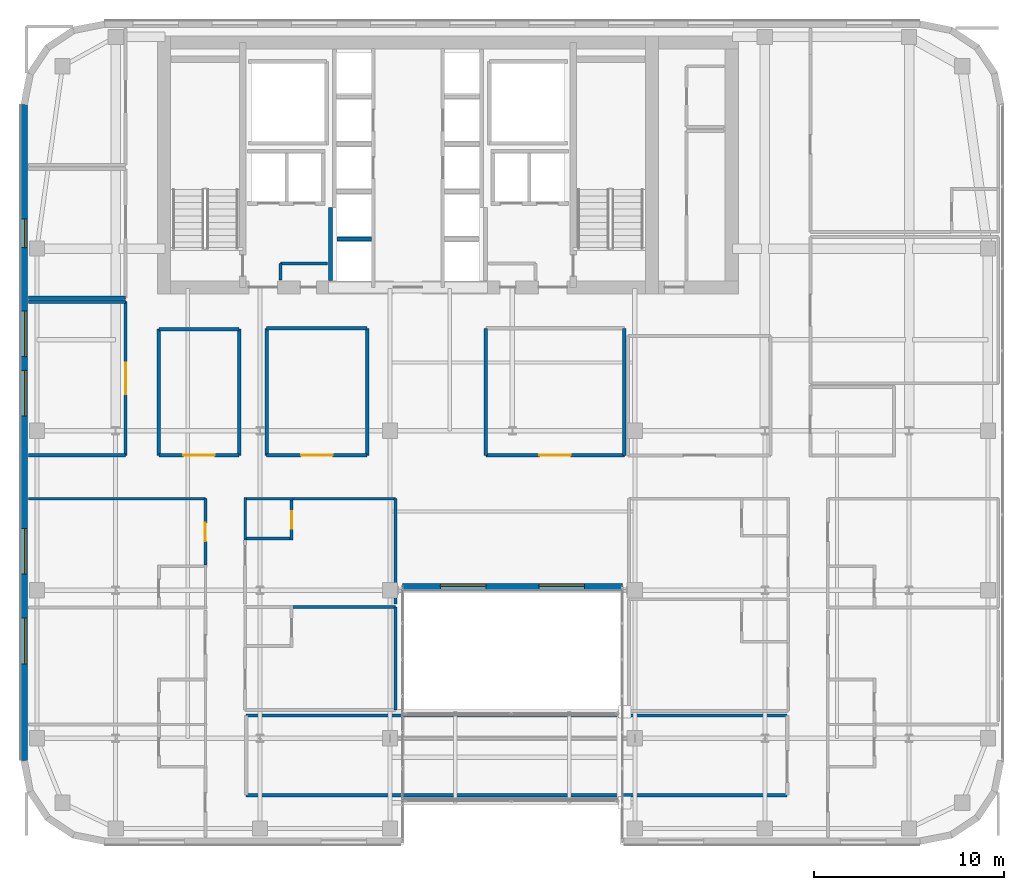
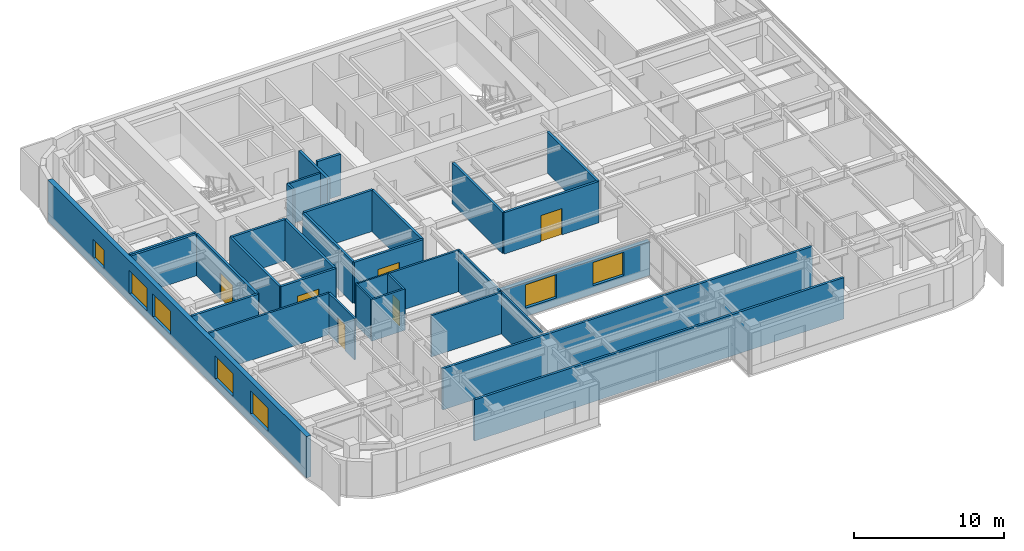
# One storey, part 16 of 26: 33 walls, 7 windows, 6 doors, 13 openings.
"""IFC4 building model written with IfcOpenShell, lengths in metres."""

import ifcopenshell
import ifcopenshell.guid

model = None  # the IFC model being written
_history = None  # IfcOwnerHistory: only IFC2X3 demands one
_inside = {}  # id of a spatial element -> (the spatial element, [elements in it])
_under = {}  # id of a project, library or spatial element -> (it, [spatial elements below it])
_declared = {}  # id of a project -> (the project, [libraries it declares])
_typed = {}  # id of a type object -> (the type object, [elements of that type])
_made_of = {}  # id of a material, layer set ... -> (it, [elements and type objects made of it])


def new_model(schema):
    """Start an empty IFC model of exactly this schema.

    Asked for "IFC4X3", IfcOpenShell would pick the latest addendum, in which some entities
    have other attributes; the version numbers below select the first issue.
    IFC2X3 requires an IfcOwnerHistory on every rooted entity: one is made here for all.
    """
    global model, _history
    if schema == "IFC4X3":
        model = ifcopenshell.file(schema_version=(4, 3, 0, 0))
    else:
        model = ifcopenshell.file(schema=schema)
    _inside.clear()
    _under.clear()
    _declared.clear()
    _typed.clear()
    _made_of.clear()
    _history = None
    if model.schema == "IFC2X3":
        org = make("IfcOrganization", Name="unknown")
        user = make(
            "IfcPersonAndOrganization",
            ThePerson=make("IfcPerson", FamilyName="unknown"),
            TheOrganization=org,
        )
        app = make(
            "IfcApplication",
            ApplicationDeveloper=org,
            Version="unknown",
            ApplicationFullName="unknown",
            ApplicationIdentifier="unknown",
        )
        _history = make(
            "IfcOwnerHistory",
            OwningUser=user,
            OwningApplication=app,
            ChangeAction="ADDED",
            CreationDate=0,
        )
    return model


def make(cls, **values):
    """One entity of the class cls with the attributes given. An attribute that is None is left unset."""
    return model.create_entity(
        cls, **{name: value for name, value in values.items() if value is not None}
    )


def rooted(cls, **values):
    """An entity with a GlobalId (a new one), such as an element, a storey or a relation."""
    return make(cls, GlobalId=ifcopenshell.guid.new(), OwnerHistory=_history, **values)


def si_unit(unit_type, name, prefix=None):
    """IfcSIUnit, for example si_unit("LENGTHUNIT", "METRE", prefix="MILLI")."""
    return make("IfcSIUnit", UnitType=unit_type, Prefix=prefix, Name=name)


def assignment(units):
    """IfcUnitAssignment: the units of a project."""
    return None if units is None else make("IfcUnitAssignment", Units=units)


def point(xyz):
    """IfcCartesianPoint."""
    return None if xyz is None else make("IfcCartesianPoint", Coordinates=xyz)


def direction(xyz):
    """IfcDirection."""
    return None if xyz is None else make("IfcDirection", DirectionRatios=xyz)


def frame(location, z_axis=None, x_axis=None):
    """IfcAxis2Placement3D, a coordinate frame: its origin and axes. An axis left out is left unset."""
    return make(
        "IfcAxis2Placement3D",
        Location=point(location),
        Axis=direction(z_axis),
        RefDirection=direction(x_axis),
    )


def frame_2d(location, x_axis=None):
    """IfcAxis2Placement2D, a coordinate frame in the plane: its origin and x axis."""
    return make(
        "IfcAxis2Placement2D", Location=point(location), RefDirection=direction(x_axis)
    )


def origin():
    """The frame at (0, 0, 0) with its axes left unset."""
    return frame((0.0, 0.0, 0.0))


def place(relative_to, where):
    """IfcLocalPlacement: puts the frame where relative to a parent placement (None: the world)."""
    return make(
        "IfcLocalPlacement", PlacementRelTo=relative_to, RelativePlacement=where
    )


def context(
    kind, dimensions, precision=None, world=None, true_north=None, identifier=None
):
    """IfcGeometricRepresentationContext, for example the 3D "Model" context."""
    return make(
        "IfcGeometricRepresentationContext",
        ContextIdentifier=identifier,
        ContextType=kind,
        CoordinateSpaceDimension=dimensions,
        Precision=precision,
        WorldCoordinateSystem=world,
        TrueNorth=true_north,
    )


def subcontext(parent, identifier, kind, view, scale=None):
    """IfcGeometricRepresentationSubContext, for example "Body" below "Model"."""
    return make(
        "IfcGeometricRepresentationSubContext",
        ContextIdentifier=identifier,
        ContextType=kind,
        ParentContext=parent,
        TargetScale=scale,
        TargetView=view,
    )


def project(units=None, contexts=None):
    """IfcProject with its units and contexts."""
    return rooted(
        "IfcProject",
        Name="project",
        RepresentationContexts=contexts,
        UnitsInContext=assignment(units),
    )


def spatial(cls, under=None, at=None, **own):
    """A site, building, storey or space (cls), placed at a placement, below another one or the project."""
    s = rooted(cls, ObjectPlacement=at, **own)
    if under is not None:
        _under.setdefault(under.id(), (under, []))[1].append(s)
    return s


def profile(cls, at=None, kind="AREA", **sizes):
    """A parametric profile (cls). Its sizes go by their IFC names, for example OverallWidth=200.0."""
    return make(cls, ProfileType=kind, Position=at, **sizes)


def rectangle(**sizes):
    """IfcRectangleProfileDef."""
    return profile("IfcRectangleProfileDef", **sizes)


def extrude(swept, where, along, depth):
    """IfcExtrudedAreaSolid: the profile swept, set in the frame where, extruded along a direction by depth."""
    return make(
        "IfcExtrudedAreaSolid",
        SweptArea=swept,
        Position=where,
        ExtrudedDirection=direction(along),
        Depth=depth,
    )


def shape(context_of_items, identifier, shape_type, items):
    """IfcShapeRepresentation: the items that make up one representation, for example the "Body"."""
    return make(
        "IfcShapeRepresentation",
        ContextOfItems=context_of_items,
        RepresentationIdentifier=identifier,
        RepresentationType=shape_type,
        Items=items,
    )


def source(mapping_origin, context_of_items, identifier, shape_type, items):
    """IfcRepresentationMap: a shape defined once, which mapped items show again and again."""
    return make(
        "IfcRepresentationMap",
        MappingOrigin=mapping_origin,
        MappedRepresentation=shape(context_of_items, identifier, shape_type, items),
    )


def transform(
    local_origin,
    x_axis=None,
    y_axis=None,
    z_axis=None,
    scale=None,
    scale2=None,
    scale3=None,
    uniform=True,
):
    """IfcCartesianTransformationOperator3D, or its non-uniform kind. x_axis, y_axis, z_axis: its Axis1, 2, 3."""
    if uniform:
        return make(
            "IfcCartesianTransformationOperator3D",
            Axis1=direction(x_axis),
            Axis2=direction(y_axis),
            LocalOrigin=point(local_origin),
            Scale=scale,
            Axis3=direction(z_axis),
        )
    return make(
        "IfcCartesianTransformationOperator3DnonUniform",
        Axis1=direction(x_axis),
        Axis2=direction(y_axis),
        LocalOrigin=point(local_origin),
        Scale=scale,
        Axis3=direction(z_axis),
        Scale2=scale2,
        Scale3=scale3,
    )


def mapped(mapping_source, mapping_target):
    """IfcMappedItem: shows the shape of a source again, moved by a transform."""
    return make(
        "IfcMappedItem", MappingSource=mapping_source, MappingTarget=mapping_target
    )


def material(Name=None, Category=None):
    """IfcMaterial."""
    return make("IfcMaterial", Name=Name, Category=Category)


def layer(
    of_material, thickness, ventilated=None, Name=None, Category=None, Priority=None
):
    """IfcMaterialLayer: one layer of a wall or slab, of a material (None: an air gap)."""
    return make(
        "IfcMaterialLayer",
        Material=of_material,
        LayerThickness=thickness,
        IsVentilated=ventilated,
        Name=Name,
        Category=Category,
        Priority=Priority,
    )


def layer_set(layers, Name=None):
    """IfcMaterialLayerSet."""
    return make("IfcMaterialLayerSet", MaterialLayers=layers, LayerSetName=Name)


def made_of(thing, what):
    """Note that an element or type object is made of a material, layer set ...; save() writes the relation."""
    if what is not None:
        _made_of.setdefault(what.id(), (what, []))[1].append(thing)
    return thing


def type_object(cls, material=None, **own):
    """A type object (cls), such as IfcWallType, which elements share."""
    return made_of(rooted(cls, **own), material)


def type_shapes(of_type, sources):
    """Give a type object the sources (RepresentationMaps) that its elements show as mapped items."""
    of_type.RepresentationMaps = sources


def element(
    cls,
    number,
    at=None,
    inside=None,
    cuts=None,
    type_object=None,
    material=None,
    context=None,
    identifier="Body",
    shape_type=None,
    held_by="IfcProductDefinitionShape",
    body=None,
    shapes=None,
    **own,
):
    """One element of the class cls, such as IfcWall. Its Tag is "e" and its number.

    at: its placement. inside: the storey or other place that contains it. cuts: it is an
    opening in that element (IfcRelVoidsElement). A single representation is given by context,
    identifier, shape_type and body (its items); several are given by shapes. held_by: the class
    of the entity that holds the representations. save() writes the other relations.
    """
    e = rooted(cls, Tag="e%d" % number, ObjectPlacement=at, **own)
    if body is not None:
        shapes = [shape(context, identifier, shape_type, body)]
    if shapes is not None:
        e.Representation = make(held_by, Representations=shapes)
    if inside is not None:
        _inside.setdefault(inside.id(), (inside, []))[1].append(e)
    if cuts is not None:
        rooted(
            "IfcRelVoidsElement", RelatingBuildingElement=cuts, RelatedOpeningElement=e
        )
    if type_object is not None:
        _typed.setdefault(type_object.id(), (type_object, []))[1].append(e)
    return made_of(e, material)


def fill(opening, filler):
    """IfcRelFillsElement: the door or window that sits in an opening."""
    return rooted(
        "IfcRelFillsElement",
        RelatingOpeningElement=opening,
        RelatedBuildingElement=filler,
    )


def aggregate(whole, parts):
    """IfcRelAggregates: a whole, such as a stair, and the parts it consists of."""
    return rooted("IfcRelAggregates", RelatingObject=whole, RelatedObjects=parts)


def save(model, path):
    """Write the relations noted so far, then the file.

    IfcRelAggregates (storeys below a building ...), IfcRelContainedInSpatialStructure (elements
    in a storey), IfcRelDefinesByType, IfcRelAssociatesMaterial and IfcRelDeclares: one each for
    every whole, place, type object, material and project.
    """
    for whole, parts in _under.values():
        aggregate(whole, parts)
    for where, things in _inside.values():
        rooted(
            "IfcRelContainedInSpatialStructure",
            RelatedElements=things,
            RelatingStructure=where,
        )
    for kind, things in _typed.values():
        rooted("IfcRelDefinesByType", RelatedObjects=things, RelatingType=kind)
    for what, things in _made_of.values():
        rooted("IfcRelAssociatesMaterial", RelatedObjects=things, RelatingMaterial=what)
    for by, libraries in _declared.values():
        rooted("IfcRelDeclares", RelatingContext=by, RelatedDefinitions=libraries)
    model.write(path)


model = new_model("IFC4")

# Units and contexts
model_context = context("Model", 3, precision=1e-05, world=origin(), true_north=direction((0.0, 1.0)))
body_context = subcontext(model_context, "Body", "Model", "MODEL_VIEW")
ifc_project = project(units=[si_unit("LENGTHUNIT", "METRE"), si_unit("AREAUNIT", "SQUARE_METRE"), si_unit("VOLUMEUNIT", "CUBIC_METRE"), si_unit("PLANEANGLEUNIT", "RADIAN"), si_unit("MASSUNIT", "GRAM", prefix="KILO")], contexts=[model_context])

# Site, building, storey
site_placement = place(None, origin())
site = spatial("IfcSite", under=ifc_project, at=site_placement, CompositionType="ELEMENT")
building_placement = place(site_placement, origin())
building = spatial("IfcBuilding", under=site, at=building_placement, Name="Tolvann Quenvar Hotel", CompositionType="ELEMENT")
storey_placement = place(building_placement, frame((0.0, 0.0, 168.35009765625)))
storey = spatial("IfcBuildingStorey", under=building, at=storey_placement, Name="L44", CompositionType="ELEMENT", Elevation=168.35009765625)

# Wall, openings, windows
ifc_material_1 = material(Name="Kiln-fired red and buff architectural clay brickwork and terracotta masonry", Category="masonry")
ifc_layer_1 = layer(ifc_material_1, 0.35009765625)
ifc_layer_set_1 = layer_set([ifc_layer_1], Name="Kiln-fired red and buff architectural clay brickwork and terracotta masonry")
wall_type_1 = type_object("IfcWallType", Name="WALL_EXT_BRICK_350", PredefinedType="SOLIDWALL", material=ifc_layer_set_1)
wall_1_placement = place(storey_placement, frame((22.7099609375, 16.175048828125, 0.0), z_axis=(0.0, 0.0, 1.0), x_axis=(1.0, 0.0, 0.0)))
wall_1 = element("IfcWall", 1, at=wall_1_placement, inside=storey, type_object=wall_type_1, Name="Exterior Chicago Brick Wall L44-E06", PredefinedType="SOLIDWALL", context=body_context, shape_type="SweptSolid", body=[
    extrude(rectangle(XDim=11.580078125, YDim=0.35009765625, at=frame_2d((5.7900390625, 0.0))), origin(), (0.0, 0.0, 1.0), 2.7578125),
])
opening_1_placement = place(wall_1_placement, frame((1.9951171875, 0.0, 0.679931640625)))
opening_1 = element("IfcOpeningElement", 2, at=opening_1_placement, cuts=wall_1, Name="Opening W-01", PredefinedType="OPENING", context=body_context, shape_type="SweptSolid", body=[
    extrude(rectangle(XDim=2.39990234375, YDim=1.89990234375, at=frame_2d((1.199951171875, 0.949951171875))), frame((0.0, 0.18505859375, 0.0), z_axis=(0.0, -1.0, 0.0), x_axis=(1.0, 0.0, 0.0)), (0.0, 0.0, 1.0), 0.3701171875),
])
opening_2_placement = place(wall_1_placement, frame((7.18505859375, 0.0, 0.679931640625)))
opening_2 = element("IfcOpeningElement", 3, at=opening_2_placement, cuts=wall_1, Name="Opening W-01", PredefinedType="OPENING", context=body_context, shape_type="SweptSolid", body=[
    extrude(rectangle(XDim=2.39990234375, YDim=1.89990234375, at=frame_2d((1.199951171875, 0.949951171875))), frame((0.0, 0.18505859375, 0.0), z_axis=(0.0, -1.0, 0.0), x_axis=(1.0, 0.0, 0.0)), (0.0, 0.0, 1.0), 0.3701171875),
])
ifc_material_2 = material(Name="Thermally broken bronze-anodised aluminium frame with double low-E glazing", Category="aluminium")
window_type_1 = type_object("IfcWindowType", Name="WIN_CHI_2400x2050", PartitioningType="TRIPLE_PANEL_HORIZONTAL", PredefinedType="WINDOW", material=ifc_material_2)
shared_shape_1 = source(origin(), body_context, "Body", "SweptSolid", [
    extrude(rectangle(XDim=2.39990234375, YDim=1.89990234375, at=frame_2d((1.199951171875, 0.949951171875))), frame((0.0, 0.090087890625, 0.0), z_axis=(0.0, -1.0, 0.0), x_axis=(1.0, 0.0, 0.0)), (0.0, 0.0, 1.0), 0.06005859375),
])
type_shapes(window_type_1, [shared_shape_1])
window_1_placement = place(opening_1_placement, origin())
window_1 = element("IfcWindow", 4, at=window_1_placement, inside=storey, type_object=window_type_1, Name="Chicago Window W-01 (EW-L44-E06-W01)", OverallHeight=1.89990234375, OverallWidth=2.39990234375, PartitioningType="TRIPLE_PANEL_HORIZONTAL", PredefinedType="WINDOW", context=body_context, shape_type="MappedRepresentation", body=[
    mapped(shared_shape_1, transform((0.0, 0.0, 0.0), x_axis=(1.0, 0.0, 0.0), y_axis=(0.0, 1.0, 0.0), z_axis=(0.0, 0.0, 1.0), scale=1.0)),
])
fill(opening_1, window_1)
window_2_placement = place(opening_2_placement, origin())
window_2 = element("IfcWindow", 5, at=window_2_placement, inside=storey, type_object=window_type_1, Name="Chicago Window W-01 (EW-L44-E06-W02)", OverallHeight=1.89990234375, OverallWidth=2.39990234375, PartitioningType="TRIPLE_PANEL_HORIZONTAL", PredefinedType="WINDOW", context=body_context, shape_type="MappedRepresentation", body=[
    mapped(shared_shape_1, transform((0.0, 0.0, 0.0), x_axis=(1.0, 0.0, 0.0), y_axis=(0.0, 1.0, 0.0), z_axis=(0.0, 0.0, 1.0), scale=1.0)),
])
fill(opening_2, window_2)

wall_2_placement = place(storey_placement, frame((2.77490234375, 41.582763671875, 0.0), z_axis=(0.0, 0.0, 1.0), x_axis=(0.0, -1.0, 0.0)))
wall_2 = element("IfcWall", 6, at=wall_2_placement, inside=storey, type_object=wall_type_1, Name="Exterior Chicago Brick Wall L44-E23", PredefinedType="SOLIDWALL", context=body_context, shape_type="SweptSolid", body=[
    extrude(rectangle(XDim=34.565673828125, YDim=0.35009765625, at=frame_2d((17.28271484375, 0.0))), origin(), (0.0, 0.0, 1.0), 3.369873046875),
])
opening_3_placement = place(wall_2_placement, frame((10.876953125, 0.0, 0.679931640625)))
opening_3 = element("IfcOpeningElement", 7, at=opening_3_placement, cuts=wall_2, Name="Opening W-01", PredefinedType="OPENING", context=body_context, shape_type="SweptSolid", body=[
    extrude(rectangle(XDim=2.39990234375, YDim=1.89990234375, at=frame_2d((1.199951171875, 0.949951171875))), frame((0.0, 0.18505859375, 0.0), z_axis=(0.0, -1.0, 0.0), x_axis=(1.0, 0.0, 0.0)), (0.0, 0.0, 1.0), 0.3701171875),
])
opening_4_placement = place(wall_2_placement, frame((13.9970703125, 0.0, 0.679931640625)))
opening_4 = element("IfcOpeningElement", 8, at=opening_4_placement, cuts=wall_2, Name="Opening W-01", PredefinedType="OPENING", context=body_context, shape_type="SweptSolid", body=[
    extrude(rectangle(XDim=2.39990234375, YDim=1.89990234375, at=frame_2d((1.199951171875, 0.949951171875))), frame((0.0, 0.18505859375, 0.0), z_axis=(0.0, -1.0, 0.0), x_axis=(1.0, 0.0, 0.0)), (0.0, 0.0, 1.0), 0.3701171875),
])
opening_5_placement = place(wall_2_placement, frame((22.339111328125, 0.0, 0.679931640625)))
opening_5 = element("IfcOpeningElement", 9, at=opening_5_placement, cuts=wall_2, Name="Opening W-01", PredefinedType="OPENING", context=body_context, shape_type="SweptSolid", body=[
    extrude(rectangle(XDim=2.39990234375, YDim=1.89990234375, at=frame_2d((1.199951171875, 0.949951171875))), frame((0.0, 0.18505859375, 0.0), z_axis=(0.0, -1.0, 0.0), x_axis=(1.0, 0.0, 0.0)), (0.0, 0.0, 1.0), 0.3701171875),
])
opening_6_placement = place(wall_2_placement, frame((27.06005859375, 0.0, 0.679931640625)))
opening_6 = element("IfcOpeningElement", 10, at=opening_6_placement, cuts=wall_2, Name="Opening W-01", PredefinedType="OPENING", context=body_context, shape_type="SweptSolid", body=[
    extrude(rectangle(XDim=2.39990234375, YDim=1.89990234375, at=frame_2d((1.199951171875, 0.949951171875))), frame((0.0, 0.18505859375, 0.0), z_axis=(0.0, -1.0, 0.0), x_axis=(1.0, 0.0, 0.0)), (0.0, 0.0, 1.0), 0.3701171875),
])
opening_7_placement = place(wall_2_placement, frame((6.032958984375, 0.0, 0.6201171875)))
opening_7 = element("IfcOpeningElement", 11, at=opening_7_placement, cuts=wall_2, Name="Opening W-08", PredefinedType="OPENING", context=body_context, shape_type="SweptSolid", body=[
    extrude(rectangle(XDim=1.5, YDim=1.550048828125, at=frame_2d((0.75, 0.77490234375))), frame((0.0, 0.18505859375, 0.0), z_axis=(0.0, -1.0, 0.0), x_axis=(1.0, 0.0, 0.0)), (0.0, 0.0, 1.0), 0.3701171875),
])
window_type_2 = type_object("IfcWindowType", Name="WIN_COR_1500x2050", PartitioningType="SINGLE_PANEL", PredefinedType="WINDOW", material=ifc_material_2)
shared_shape_2 = source(origin(), body_context, "Body", "SweptSolid", [
    extrude(rectangle(XDim=1.5, YDim=1.550048828125, at=frame_2d((0.75, 0.77490234375))), frame((0.0, 0.090087890625, 0.0), z_axis=(0.0, -1.0, 0.0), x_axis=(1.0, 0.0, 0.0)), (0.0, 0.0, 1.0), 0.06005859375),
])
type_shapes(window_type_2, [shared_shape_2])
window_3_placement = place(opening_7_placement, origin())
window_3 = element("IfcWindow", 12, at=window_3_placement, inside=storey, type_object=window_type_2, Name="Chicago Window W-08 (EW-L44-E23-WD05)", OverallHeight=1.550048828125, OverallWidth=1.5, PartitioningType="SINGLE_PANEL", PredefinedType="WINDOW", context=body_context, shape_type="MappedRepresentation", body=[
    mapped(shared_shape_2, transform((0.0, 0.0, 0.0), x_axis=(1.0, 0.0, 0.0), y_axis=(0.0, 1.0, 0.0), z_axis=(0.0, 0.0, 1.0), scale=1.0)),
])
fill(opening_7, window_3)
window_4_placement = place(opening_3_placement, origin())
window_4 = element("IfcWindow", 13, at=window_4_placement, inside=storey, type_object=window_type_1, Name="Chicago Window W-01 (EW-L44-E23-W01)", OverallHeight=1.89990234375, OverallWidth=2.39990234375, PartitioningType="TRIPLE_PANEL_HORIZONTAL", PredefinedType="WINDOW", context=body_context, shape_type="MappedRepresentation", body=[
    mapped(shared_shape_1, transform((0.0, 0.0, 0.0), x_axis=(1.0, 0.0, 0.0), y_axis=(0.0, 1.0, 0.0), z_axis=(0.0, 0.0, 1.0), scale=1.0)),
])
fill(opening_3, window_4)
window_5_placement = place(opening_4_placement, origin())
window_5 = element("IfcWindow", 14, at=window_5_placement, inside=storey, type_object=window_type_1, Name="Chicago Window W-01 (EW-L44-E23-W02)", OverallHeight=1.89990234375, OverallWidth=2.39990234375, PartitioningType="TRIPLE_PANEL_HORIZONTAL", PredefinedType="WINDOW", context=body_context, shape_type="MappedRepresentation", body=[
    mapped(shared_shape_1, transform((0.0, 0.0, 0.0), x_axis=(1.0, 0.0, 0.0), y_axis=(0.0, 1.0, 0.0), z_axis=(0.0, 0.0, 1.0), scale=1.0)),
])
fill(opening_4, window_5)
window_6_placement = place(opening_5_placement, origin())
window_6 = element("IfcWindow", 15, at=window_6_placement, inside=storey, type_object=window_type_1, Name="Chicago Window W-01 (EW-L44-E23-W03)", OverallHeight=1.89990234375, OverallWidth=2.39990234375, PartitioningType="TRIPLE_PANEL_HORIZONTAL", PredefinedType="WINDOW", context=body_context, shape_type="MappedRepresentation", body=[
    mapped(shared_shape_1, transform((0.0, 0.0, 0.0), x_axis=(1.0, 0.0, 0.0), y_axis=(0.0, 1.0, 0.0), z_axis=(0.0, 0.0, 1.0), scale=1.0)),
])
fill(opening_5, window_6)
window_7_placement = place(opening_6_placement, origin())
window_7 = element("IfcWindow", 16, at=window_7_placement, inside=storey, type_object=window_type_1, Name="Chicago Window W-01 (EW-L44-E23-W04)", OverallHeight=1.89990234375, OverallWidth=2.39990234375, PartitioningType="TRIPLE_PANEL_HORIZONTAL", PredefinedType="WINDOW", context=body_context, shape_type="MappedRepresentation", body=[
    mapped(shared_shape_1, transform((0.0, 0.0, 0.0), x_axis=(1.0, 0.0, 0.0), y_axis=(0.0, 1.0, 0.0), z_axis=(0.0, 0.0, 1.0), scale=1.0)),
])
fill(opening_6, window_7)

# Walls
ifc_material_3 = material(Name="Acoustic twin-stud fire-rated gypsum plasterboard partition")
ifc_layer_2 = layer(ifc_material_3, 0.179931640625)
ifc_layer_set_2 = layer_set([ifc_layer_2], Name="Acoustic twin-stud fire-rated gypsum plasterboard partition")
wall_type_2 = type_object("IfcWallType", Name="WALL_PART_ACOUSTIC_180", PredefinedType="PARTITIONING", material=ifc_layer_set_2)
for number, where, z_axis, x_axis, name in (
    (17, (3.0048828125, 23.10009765625, 0.0), (0.0, 0.0, 1.0), (1.0, 0.0, 0.0), "Interior Partition PT-SPC-L44-SAL-S"),
    (18, (3.0048828125, 31.199951171875, 0.0), (0.0, 0.0, 1.0), (1.0, 0.0, 0.0), "Interior Partition PT-SPC-L44-SAL-N"),
):
    element("IfcWall", number, at=place(storey_placement, frame(where, z_axis=z_axis, x_axis=x_axis)), inside=storey, type_object=wall_type_2, Name=name, PredefinedType="PARTITIONING", context=body_context, shape_type="SweptSolid", body=[
        extrude(rectangle(XDim=5.115234375, YDim=0.179931640625, at=frame_2d((2.5576171875, 0.0))), origin(), (0.0, 0.0, 1.0), 3.369873046875),
    ])

# Wall, opening, door
wall_3_placement = place(storey_placement, frame((8.1201171875, 23.10009765625, 0.0), z_axis=(0.0, 0.0, 1.0), x_axis=(0.0, 1.0, 0.0)))
wall_3 = element("IfcWall", 19, at=wall_3_placement, inside=storey, type_object=wall_type_2, Name="Interior Partition PT-SPC-L44-SAL-E", PredefinedType="PARTITIONING", context=body_context, shape_type="SweptSolid", body=[
    extrude(rectangle(XDim=8.099853515625, YDim=0.179931640625, at=frame_2d((4.0498046875, 0.0))), origin(), (0.0, 0.0, 1.0), 3.369873046875),
])
opening_8_placement = place(wall_3_placement, frame((3.22509765625, 0.0, 0.0)))
opening_8 = element("IfcOpeningElement", 20, at=opening_8_placement, cuts=wall_3, Name="Opening AD-01", PredefinedType="OPENING", context=body_context, shape_type="SweptSolid", body=[
    extrude(rectangle(XDim=1.64990234375, YDim=2.14990234375, at=frame_2d((0.824951171875, 1.074951171875))), frame((0.0, 0.10009765625, 0.0), z_axis=(0.0, -1.0, 0.0), x_axis=(1.0, 0.0, 0.0)), (0.0, 0.0, 1.0), 0.199951171875),
])
ifc_material_4 = material(Name="Solid-core American oak acoustic fire door leaf in steel frame", Category="steel")
door_type_1 = type_object("IfcDoorType", Name="DOOR_SALON_1650", OperationType="NOTDEFINED", PredefinedType="DOOR", material=ifc_material_4)
shared_shape_3 = source(origin(), body_context, "Body", "SweptSolid", [
    extrude(rectangle(XDim=1.64990234375, YDim=2.14990234375, at=frame_2d((0.824951171875, 1.074951171875))), frame((0.0, 0.02490234375, 0.0), z_axis=(0.0, -1.0, 0.0), x_axis=(1.0, 0.0, 0.0)), (0.0, 0.0, 1.0), 0.050048828125),
])
type_shapes(door_type_1, [shared_shape_3])
door_1_placement = place(opening_8_placement, origin())
door_1 = element("IfcDoor", 21, at=door_1_placement, inside=storey, type_object=door_type_1, Name="Interior Door DOOR-SPC-L44-SAL", OperationType="DOUBLE_DOOR_SINGLE_SWING", OverallHeight=2.14990234375, OverallWidth=1.64990234375, PredefinedType="DOOR", context=body_context, shape_type="MappedRepresentation", body=[
    mapped(shared_shape_3, transform((0.0, 0.0, 0.0), x_axis=(1.0, 0.0, 0.0), y_axis=(0.0, 1.0, 0.0), z_axis=(0.0, 0.0, 1.0), scale=1.0)),
])
fill(opening_8, door_1)

# Wall
wall_4_placement = place(storey_placement, frame((3.0048828125, 31.39990234375, 0.0), z_axis=(0.0, 0.0, 1.0), x_axis=(1.0, 0.0, 0.0)))
element("IfcWall", 22, at=wall_4_placement, inside=storey, type_object=wall_type_2, Name="Interior Partition PT-SPC-L44-MTG-S", PredefinedType="PARTITIONING", context=body_context, shape_type="SweptSolid", body=[
    extrude(rectangle(XDim=5.115234375, YDim=0.179931640625, at=frame_2d((2.5576171875, 0.0))), origin(), (0.0, 0.0, 1.0), 3.369873046875),
])

# Wall, opening, door
wall_5_placement = place(storey_placement, frame((9.8798828125, 23.10009765625, 0.0), z_axis=(0.0, 0.0, 1.0), x_axis=(1.0, 0.0, 0.0)))
wall_5 = element("IfcWall", 23, at=wall_5_placement, inside=storey, type_object=wall_type_2, Name="Interior Partition PT-SPC-L44-MSP-W-S", PredefinedType="PARTITIONING", context=body_context, shape_type="SweptSolid", body=[
    extrude(rectangle(XDim=4.22021484375, YDim=0.179931640625, at=frame_2d((2.110107421875, 0.0))), origin(), (0.0, 0.0, 1.0), 3.369873046875),
])
opening_9_placement = place(wall_5_placement, frame((1.284912109375, 0.0, 0.0)))
opening_9 = element("IfcOpeningElement", 24, at=opening_9_placement, cuts=wall_5, Name="Opening AD-01", PredefinedType="OPENING", context=body_context, shape_type="SweptSolid", body=[
    extrude(rectangle(XDim=1.64990234375, YDim=2.14990234375, at=frame_2d((0.824951171875, 1.074951171875))), frame((0.0, 0.10009765625, 0.0), z_axis=(0.0, -1.0, 0.0), x_axis=(1.0, 0.0, 0.0)), (0.0, 0.0, 1.0), 0.199951171875),
])
door_2_placement = place(opening_9_placement, origin())
door_2 = element("IfcDoor", 25, at=door_2_placement, inside=storey, type_object=door_type_1, Name="Interior Door DOOR-SPC-L44-MSP-W", OperationType="DOUBLE_DOOR_SINGLE_SWING", OverallHeight=2.14990234375, OverallWidth=1.64990234375, PredefinedType="DOOR", context=body_context, shape_type="MappedRepresentation", body=[
    mapped(shared_shape_3, transform((0.0, 0.0, 0.0), x_axis=(1.0, 0.0, 0.0), y_axis=(0.0, 1.0, 0.0), z_axis=(0.0, 0.0, 1.0), scale=1.0)),
])
fill(opening_9, door_2)

# Walls
wall_6_placement = place(storey_placement, frame((9.8798828125, 29.75, 0.0), z_axis=(0.0, 0.0, 1.0), x_axis=(1.0, 0.0, 0.0)))
element("IfcWall", 26, at=wall_6_placement, inside=storey, type_object=wall_type_2, Name="Interior Partition PT-SPC-L44-MSP-W-N", PredefinedType="PARTITIONING", context=body_context, shape_type="SweptSolid", body=[
    extrude(rectangle(XDim=4.22021484375, YDim=0.179931640625, at=frame_2d((2.110107421875, 0.0))), origin(), (0.0, 0.0, 1.0), 3.369873046875),
])
for number, where, z_axis, x_axis, name in (
    (27, (9.8798828125, 23.10009765625, 0.0), (0.0, 0.0, 1.0), (0.0, 1.0, 0.0), "Interior Partition PT-SPC-L44-MSP-W-W"),
    (28, (14.10009765625, 23.10009765625, 0.0), (0.0, 0.0, 1.0), (0.0, 1.0, 0.0), "Interior Partition PT-SPC-L44-MSP-W-E"),
):
    element("IfcWall", number, at=place(storey_placement, frame(where, z_axis=z_axis, x_axis=x_axis)), inside=storey, type_object=wall_type_2, Name=name, PredefinedType="PARTITIONING", context=body_context, shape_type="SweptSolid", body=[
        extrude(rectangle(XDim=6.64990234375, YDim=0.179931640625, at=frame_2d((3.324951171875, 0.0))), origin(), (0.0, 0.0, 1.0), 3.369873046875),
    ])

# Wall, opening, door
wall_7_placement = place(storey_placement, frame((27.10009765625, 23.10009765625, 0.0), z_axis=(0.0, 0.0, 1.0), x_axis=(1.0, 0.0, 0.0)))
wall_7 = element("IfcWall", 29, at=wall_7_placement, inside=storey, type_object=wall_type_2, Name="Interior Partition PT-SPC-L44-MSP-C-S", PredefinedType="PARTITIONING", context=body_context, shape_type="SweptSolid", body=[
    extrude(rectangle(XDim=7.2998046875, YDim=0.179931640625, at=frame_2d((3.64990234375, 0.0))), origin(), (0.0, 0.0, 1.0), 3.369873046875),
])
opening_10_placement = place(wall_7_placement, frame((2.824951171875, 0.0, 0.0)))
opening_10 = element("IfcOpeningElement", 30, at=opening_10_placement, cuts=wall_7, Name="Opening AD-01", PredefinedType="OPENING", context=body_context, shape_type="SweptSolid", body=[
    extrude(rectangle(XDim=1.64990234375, YDim=2.14990234375, at=frame_2d((0.824951171875, 1.074951171875))), frame((0.0, 0.10009765625, 0.0), z_axis=(0.0, -1.0, 0.0), x_axis=(1.0, 0.0, 0.0)), (0.0, 0.0, 1.0), 0.199951171875),
])
door_3_placement = place(opening_10_placement, origin())
door_3 = element("IfcDoor", 31, at=door_3_placement, inside=storey, type_object=door_type_1, Name="Interior Door DOOR-SPC-L44-MSP-C", OperationType="DOUBLE_DOOR_SINGLE_SWING", OverallHeight=2.14990234375, OverallWidth=1.64990234375, PredefinedType="DOOR", context=body_context, shape_type="MappedRepresentation", body=[
    mapped(shared_shape_3, transform((0.0, 0.0, 0.0), x_axis=(1.0, 0.0, 0.0), y_axis=(0.0, 1.0, 0.0), z_axis=(0.0, 0.0, 1.0), scale=1.0)),
])
fill(opening_10, door_3)

# Walls
for number, where, z_axis, x_axis, name in (
    (32, (27.10009765625, 23.10009765625, 0.0), (0.0, 0.0, 1.0), (0.0, 1.0, 0.0), "Interior Partition PT-SPC-L44-MSP-C-W"),
    (33, (34.39990234375, 23.10009765625, 0.0), (0.0, 0.0, 1.0), (0.0, 1.0, 0.0), "Interior Partition PT-SPC-L44-MSP-C-E"),
):
    element("IfcWall", number, at=place(storey_placement, frame(where, z_axis=z_axis, x_axis=x_axis)), inside=storey, type_object=wall_type_2, Name=name, PredefinedType="PARTITIONING", context=body_context, shape_type="SweptSolid", body=[
        extrude(rectangle(XDim=6.699951171875, YDim=0.179931640625, at=frame_2d((3.35009765625, 0.0))), origin(), (0.0, 0.0, 1.0), 3.369873046875),
    ])

# Wall, opening, door
wall_8_placement = place(storey_placement, frame((15.550048828125, 23.10009765625, 0.0), z_axis=(0.0, 0.0, 1.0), x_axis=(1.0, 0.0, 0.0)))
wall_8 = element("IfcWall", 34, at=wall_8_placement, inside=storey, type_object=wall_type_2, Name="Interior Partition PT-SPC-L44-MSP-N-S", PredefinedType="PARTITIONING", context=body_context, shape_type="SweptSolid", body=[
    extrude(rectangle(XDim=5.300048828125, YDim=0.179931640625, at=frame_2d((2.64990234375, 0.0))), origin(), (0.0, 0.0, 1.0), 3.369873046875),
])
opening_11_placement = place(wall_8_placement, frame((1.824951171875, 0.0, 0.0)))
opening_11 = element("IfcOpeningElement", 35, at=opening_11_placement, cuts=wall_8, Name="Opening AD-01", PredefinedType="OPENING", context=body_context, shape_type="SweptSolid", body=[
    extrude(rectangle(XDim=1.64990234375, YDim=2.14990234375, at=frame_2d((0.824951171875, 1.074951171875))), frame((0.0, 0.10009765625, 0.0), z_axis=(0.0, -1.0, 0.0), x_axis=(1.0, 0.0, 0.0)), (0.0, 0.0, 1.0), 0.199951171875),
])
door_4_placement = place(opening_11_placement, origin())
door_4 = element("IfcDoor", 36, at=door_4_placement, inside=storey, type_object=door_type_1, Name="Interior Door DOOR-SPC-L44-MSP-N", OperationType="DOUBLE_DOOR_SINGLE_SWING", OverallHeight=2.14990234375, OverallWidth=1.64990234375, PredefinedType="DOOR", context=body_context, shape_type="MappedRepresentation", body=[
    mapped(shared_shape_3, transform((0.0, 0.0, 0.0), x_axis=(1.0, 0.0, 0.0), y_axis=(0.0, 1.0, 0.0), z_axis=(0.0, 0.0, 1.0), scale=1.0)),
])
fill(opening_11, door_4)

# Walls
wall_9_placement = place(storey_placement, frame((15.550048828125, 29.800048828125, 0.0), z_axis=(0.0, 0.0, 1.0), x_axis=(1.0, 0.0, 0.0)))
element("IfcWall", 37, at=wall_9_placement, inside=storey, type_object=wall_type_2, Name="Interior Partition PT-SPC-L44-MSP-N-N", PredefinedType="PARTITIONING", context=body_context, shape_type="SweptSolid", body=[
    extrude(rectangle(XDim=5.300048828125, YDim=0.179931640625, at=frame_2d((2.64990234375, 0.0))), origin(), (0.0, 0.0, 1.0), 3.369873046875),
])
for number, where, z_axis, x_axis, name in (
    (38, (15.550048828125, 23.10009765625, 0.0), (0.0, 0.0, 1.0), (0.0, 1.0, 0.0), "Interior Partition PT-SPC-L44-MSP-N-W"),
    (39, (20.85009765625, 23.10009765625, 0.0), (0.0, 0.0, 1.0), (0.0, 1.0, 0.0), "Interior Partition PT-SPC-L44-MSP-N-E"),
):
    element("IfcWall", number, at=place(storey_placement, frame(where, z_axis=z_axis, x_axis=x_axis)), inside=storey, type_object=wall_type_2, Name=name, PredefinedType="PARTITIONING", context=body_context, shape_type="SweptSolid", body=[
        extrude(rectangle(XDim=6.699951171875, YDim=0.179931640625, at=frame_2d((3.35009765625, 0.0))), origin(), (0.0, 0.0, 1.0), 3.369873046875),
    ])
for number, where, z_axis, x_axis, name in (
    (40, (14.469970703125, 5.199951171875, 0.0), (0.0, 0.0, 1.0), (1.0, 0.0, 0.0), "Interior Partition PT-SPC-L44-BRG-S"),
    (41, (14.469970703125, 9.39990234375, 0.0), (0.0, 0.0, 1.0), (1.0, 0.0, 0.0), "Interior Partition PT-SPC-L44-BRG-N"),
):
    element("IfcWall", number, at=place(storey_placement, frame(where, z_axis=z_axis, x_axis=x_axis)), inside=storey, type_object=wall_type_2, Name=name, PredefinedType="PARTITIONING", context=body_context, shape_type="SweptSolid", body=[
        extrude(rectangle(XDim=28.510009765625, YDim=0.179931640625, at=frame_2d((14.2548828125, 0.0))), origin(), (0.0, 0.0, 1.0), 3.369873046875),
    ])
ifc_material_5 = material(Name="Moisture-resistant acoustic plumbing wall assembly")
ifc_layer_3 = layer(ifc_material_5, 0.1201171875)
ifc_layer_set_3 = layer_set([ifc_layer_3], Name="Moisture-resistant acoustic plumbing wall assembly")
wall_type_3 = type_object("IfcWallType", Name="WALL_PART_BATH_120", PredefinedType="PLUMBINGWALL", material=ifc_layer_set_3)
wall_10_placement = place(storey_placement, frame((14.35009765625, 20.820068359375, 0.0), z_axis=(0.0, 0.0, 1.0), x_axis=(1.0, 0.0, 0.0)))
element("IfcWall", 42, at=wall_10_placement, inside=storey, type_object=wall_type_3, Name="Non-Rated Plumbing Partition PT-SPC-L44-ENS-WI02-N", PredefinedType="PLUMBINGWALL", context=body_context, shape_type="SweptSolid", body=[
    extrude(rectangle(XDim=2.58984375, YDim=0.1201171875, at=frame_2d((1.294921875, 0.0))), origin(), (0.0, 0.0, 1.0), 3.369873046875),
])
wall_11_placement = place(storey_placement, frame((14.419921875, 18.64501953125, 0.0), z_axis=(0.0, 0.0, 1.0), x_axis=(0.0, 1.0, 0.0)))
element("IfcWall", 43, at=wall_11_placement, inside=storey, type_object=wall_type_3, Name="Non-Rated Plumbing Partition PT-SPC-L44-ENS-WI02-W", PredefinedType="PLUMBINGWALL", context=body_context, shape_type="SweptSolid", body=[
    extrude(rectangle(XDim=2.244873046875, YDim=0.1201171875, at=frame_2d((1.12255859375, 0.0))), origin(), (0.0, 0.0, 1.0), 3.369873046875),
])

# Wall, opening, door
ifc_layer_4 = layer(ifc_material_3, 0.14990234375)
ifc_layer_set_4 = layer_set([ifc_layer_4], Name="Acoustic twin-stud fire-rated gypsum plasterboard partition")
wall_type_4 = type_object("IfcWallType", Name="WALL_PART_SUITE_150", PredefinedType="PARTITIONING", material=ifc_layer_set_4)
wall_12_placement = place(storey_placement, frame((16.8701171875, 18.64501953125, 0.0), z_axis=(0.0, 0.0, 1.0), x_axis=(0.0, 1.0, 0.0)))
wall_12 = element("IfcWall", 44, at=wall_12_placement, inside=storey, type_object=wall_type_4, Name="Interior Partition PT-SPC-L44-ENS-WI02-ENT", PredefinedType="PARTITIONING", context=body_context, shape_type="SweptSolid", body=[
    extrude(rectangle(XDim=2.244873046875, YDim=0.14990234375, at=frame_2d((1.12255859375, 0.0))), origin(), (0.0, 0.0, 1.0), 3.369873046875),
])
opening_12_placement = place(wall_12_placement, frame((0.592529296875, 0.0, 0.0)))
opening_12 = element("IfcOpeningElement", 45, at=opening_12_placement, cuts=wall_12, Name="Opening WD-01", PredefinedType="OPENING", context=body_context, shape_type="SweptSolid", body=[
    extrude(rectangle(XDim=0.919921875, YDim=2.010009765625, at=frame_2d((0.4599609375, 1.0048828125))), frame((0.0, 0.0849609375, 0.0), z_axis=(0.0, -1.0, 0.0), x_axis=(1.0, 0.0, 0.0)), (0.0, 0.0, 1.0), 0.169921875),
])
door_type_2 = type_object("IfcDoorType", Name="DOOR_WC_920", OperationType="NOTDEFINED", PredefinedType="DOOR", material=ifc_material_4)
shared_shape_4 = source(origin(), body_context, "Body", "SweptSolid", [
    extrude(rectangle(XDim=0.919921875, YDim=2.010009765625, at=frame_2d((0.4599609375, 1.0048828125))), frame((0.0, 0.02490234375, 0.0), z_axis=(0.0, -1.0, 0.0), x_axis=(1.0, 0.0, 0.0)), (0.0, 0.0, 1.0), 0.050048828125),
])
type_shapes(door_type_2, [shared_shape_4])
door_5_placement = place(opening_12_placement, origin())
door_5 = element("IfcDoor", 46, at=door_5_placement, inside=storey, type_object=door_type_2, Name="Interior Door DOOR-SPC-L44-ENS-WI02", OperationType="SINGLE_SWING_LEFT", OverallHeight=2.010009765625, OverallWidth=0.919921875, PredefinedType="DOOR", context=body_context, shape_type="MappedRepresentation", body=[
    mapped(shared_shape_4, transform((0.0, 0.0, 0.0), x_axis=(1.0, 0.0, 0.0), y_axis=(0.0, 1.0, 0.0), z_axis=(0.0, 0.0, 1.0), scale=1.0)),
])
fill(opening_12, door_5)

# Walls
wall_13_placement = place(storey_placement, frame((14.35009765625, 18.715087890625, 0.0), z_axis=(0.0, 0.0, 1.0), x_axis=(1.0, 0.0, 0.0)))
element("IfcWall", 47, at=wall_13_placement, inside=storey, type_object=wall_type_4, Name="Interior Partition PT-SPC-L44-ENS-WI02-S", PredefinedType="PARTITIONING", context=body_context, shape_type="SweptSolid", body=[
    extrude(rectangle(XDim=2.58984375, YDim=0.14990234375, at=frame_2d((1.294921875, 0.0))), origin(), (0.0, 0.0, 1.0), 3.369873046875),
])
wall_14_placement = place(storey_placement, frame((16.280029296875, 33.219970703125, 0.0), z_axis=(0.0, 0.0, 1.0), x_axis=(1.0, 0.0, 0.0)))
element("IfcWall", 48, at=wall_14_placement, inside=storey, type_object=wall_type_4, Name="Interior Partition PT-SPC-L44-CSW-1-N", PredefinedType="PARTITIONING", context=body_context, shape_type="SweptSolid", body=[
    extrude(rectangle(XDim=2.48486328125, YDim=0.14990234375, at=frame_2d((1.242431640625, 0.0))), origin(), (0.0, 0.0, 1.0), 3.369873046875),
])
wall_15_placement = place(storey_placement, frame((16.280029296875, 32.35498046875, 0.0), z_axis=(0.0, 0.0, 1.0), x_axis=(0.0, 1.0, 0.0)))
element("IfcWall", 49, at=wall_15_placement, inside=storey, type_object=wall_type_4, Name="Interior Partition PT-SPC-L44-CSW-1-W", PredefinedType="PARTITIONING", context=body_context, shape_type="SweptSolid", body=[
    extrude(rectangle(XDim=0.864990234375, YDim=0.14990234375, at=frame_2d((0.4326171875, 0.0))), origin(), (0.0, 0.0, 1.0), 3.369873046875),
])

# Wall, opening, door
wall_16_placement = place(storey_placement, frame((12.330078125, 17.341064453125, 0.0), z_axis=(0.0, 0.0, 1.0), x_axis=(0.0, 1.0, 0.0)))
wall_16 = element("IfcWall", 50, at=wall_16_placement, inside=storey, type_object=wall_type_4, Name="Interior Partition PT-SPC-L44-RM-WO03-ENT", PredefinedType="PARTITIONING", context=body_context, shape_type="SweptSolid", body=[
    extrude(rectangle(XDim=3.47900390625, YDim=0.14990234375, at=frame_2d((1.739501953125, 0.0))), origin(), (0.0, 0.0, 1.0), 3.369873046875),
])
opening_13_placement = place(wall_16_placement, frame((1.2294921875, 0.0, 0.0)))
opening_13 = element("IfcOpeningElement", 51, at=opening_13_placement, cuts=wall_16, Name="Opening SD-01", PredefinedType="OPENING", context=body_context, shape_type="SweptSolid", body=[
    extrude(rectangle(XDim=0.97998046875, YDim=2.1201171875, at=frame_2d((0.489990234375, 1.06005859375))), frame((0.0, 0.0849609375, 0.0), z_axis=(0.0, -1.0, 0.0), x_axis=(1.0, 0.0, 0.0)), (0.0, 0.0, 1.0), 0.169921875),
])
door_type_3 = type_object("IfcDoorType", Name="DOOR_SUITE_980", OperationType="NOTDEFINED", PredefinedType="DOOR", material=ifc_material_4)
shared_shape_5 = source(origin(), body_context, "Body", "SweptSolid", [
    extrude(rectangle(XDim=0.97998046875, YDim=2.1201171875, at=frame_2d((0.489990234375, 1.06005859375))), frame((0.0, 0.02490234375, 0.0), z_axis=(0.0, -1.0, 0.0), x_axis=(1.0, 0.0, 0.0)), (0.0, 0.0, 1.0), 0.050048828125),
])
type_shapes(door_type_3, [shared_shape_5])
door_6_placement = place(opening_13_placement, origin())
door_6 = element("IfcDoor", 52, at=door_6_placement, inside=storey, type_object=door_type_3, Name="Interior Door DOOR-SPC-L44-RM-WO03", OperationType="SINGLE_SWING_RIGHT", OverallHeight=2.1201171875, OverallWidth=0.97998046875, PredefinedType="DOOR", context=body_context, shape_type="MappedRepresentation", body=[
    mapped(shared_shape_5, transform((0.0, 0.0, 0.0), x_axis=(1.0, 0.0, 0.0), y_axis=(0.0, 1.0, 0.0), z_axis=(0.0, 0.0, 1.0), scale=1.0)),
])
fill(opening_13, door_6)

# Walls
wall_17_placement = place(storey_placement, frame((3.0048828125, 20.820068359375, 0.0), z_axis=(0.0, 0.0, 1.0), x_axis=(1.0, 0.0, 0.0)))
element("IfcWall", 53, at=wall_17_placement, inside=storey, type_object=wall_type_4, Name="Interior Partition PT-SPC-L44-RM-WO03-E5", PredefinedType="PARTITIONING", context=body_context, shape_type="SweptSolid", body=[
    extrude(rectangle(XDim=9.3251953125, YDim=0.14990234375, at=frame_2d((4.66259765625, 0.0))), origin(), (0.0, 0.0, 1.0), 3.369873046875),
])
wall_18_placement = place(storey_placement, frame((22.35009765625, 9.679931640625, 0.0), z_axis=(0.0, 0.0, 1.0), x_axis=(0.0, 1.0, 0.0)))
element("IfcWall", 54, at=wall_18_placement, inside=storey, type_object=wall_type_4, Name="Interior Partition PT-SPC-L44-RM-WI01-E2", PredefinedType="PARTITIONING", context=body_context, shape_type="SweptSolid", body=[
    extrude(rectangle(XDim=5.440185546875, YDim=0.14990234375, at=frame_2d((2.72021484375, 0.0))), origin(), (0.0, 0.0, 1.0), 3.369873046875),
])
wall_19_placement = place(storey_placement, frame((16.889892578125, 15.1201171875, 0.0), z_axis=(0.0, 0.0, 1.0), x_axis=(1.0, 0.0, 0.0)))
element("IfcWall", 55, at=wall_19_placement, inside=storey, type_object=wall_type_4, Name="Interior Partition PT-SPC-L44-RM-WI01-E3", PredefinedType="PARTITIONING", context=body_context, shape_type="SweptSolid", body=[
    extrude(rectangle(XDim=5.460205078125, YDim=0.14990234375, at=frame_2d((2.72998046875, 0.0))), origin(), (0.0, 0.0, 1.0), 3.369873046875),
])
wall_20_placement = place(storey_placement, frame((22.35009765625, 15.280029296875, 0.0), z_axis=(0.0, 0.0, 1.0), x_axis=(0.0, 1.0, 0.0)))
element("IfcWall", 56, at=wall_20_placement, inside=storey, type_object=wall_type_4, Name="Interior Partition PT-SPC-L44-RM-WI02-E2", PredefinedType="PARTITIONING", context=body_context, shape_type="SweptSolid", body=[
    extrude(rectangle(XDim=5.5400390625, YDim=0.14990234375, at=frame_2d((2.77001953125, 0.0))), origin(), (0.0, 0.0, 1.0), 3.369873046875),
])
wall_21_placement = place(storey_placement, frame((16.889892578125, 20.820068359375, 0.0), z_axis=(0.0, 0.0, 1.0), x_axis=(1.0, 0.0, 0.0)))
element("IfcWall", 57, at=wall_21_placement, inside=storey, type_object=wall_type_4, Name="Interior Partition PT-SPC-L44-RM-WI02-E3", PredefinedType="PARTITIONING", context=body_context, shape_type="SweptSolid", body=[
    extrude(rectangle(XDim=5.460205078125, YDim=0.14990234375, at=frame_2d((2.72998046875, 0.0))), origin(), (0.0, 0.0, 1.0), 3.369873046875),
])
ifc_material_6 = material(Name="Concrete N40 (40 MPa)", Category="concrete")
ifc_layer_5 = layer(ifc_material_6, 0.199951171875)
ifc_layer_set_5 = layer_set([ifc_layer_5], Name="Concrete N40 (40 MPa)")
wall_type_5 = type_object("IfcWallType", Name="WALL_SHAFT_200", PredefinedType="SOLIDWALL", material=ifc_layer_set_5)
wall_22_placement = place(storey_placement, frame((18.919921875, 32.303955078125, 0.0), z_axis=(0.0, 0.0, 1.0), x_axis=(0.0, 1.0, 0.0)))
element("IfcWall", 58, at=wall_22_placement, inside=storey, type_object=wall_type_5, Name="Firefighting Lobby W Inner Fire Wall (L44)", PredefinedType="SOLIDWALL", context=body_context, shape_type="SweptSolid", body=[
    extrude(rectangle(XDim=3.845947265625, YDim=0.199951171875, at=frame_2d((1.9228515625, 0.0))), origin(), (0.0, 0.0, 1.0), 3.369873046875),
])
wall_23_placement = place(storey_placement, frame((19.27001953125, 34.5, 0.0), z_axis=(0.0, 0.0, 1.0), x_axis=(1.0, 0.0, 0.0)))
element("IfcWall", 59, at=wall_23_placement, inside=storey, type_object=wall_type_5, Name="Lift Bank E21.1C1 Divider Wall 1 (L44)", PredefinedType="SOLIDWALL", context=body_context, shape_type="SweptSolid", body=[
    extrude(rectangle(XDim=1.800048828125, YDim=0.199951171875, at=frame_2d((0.89990234375, 0.0))), origin(), (0.0, 0.0, 1.0), 3.369873046875),
])

save(model, "model.ifc")
